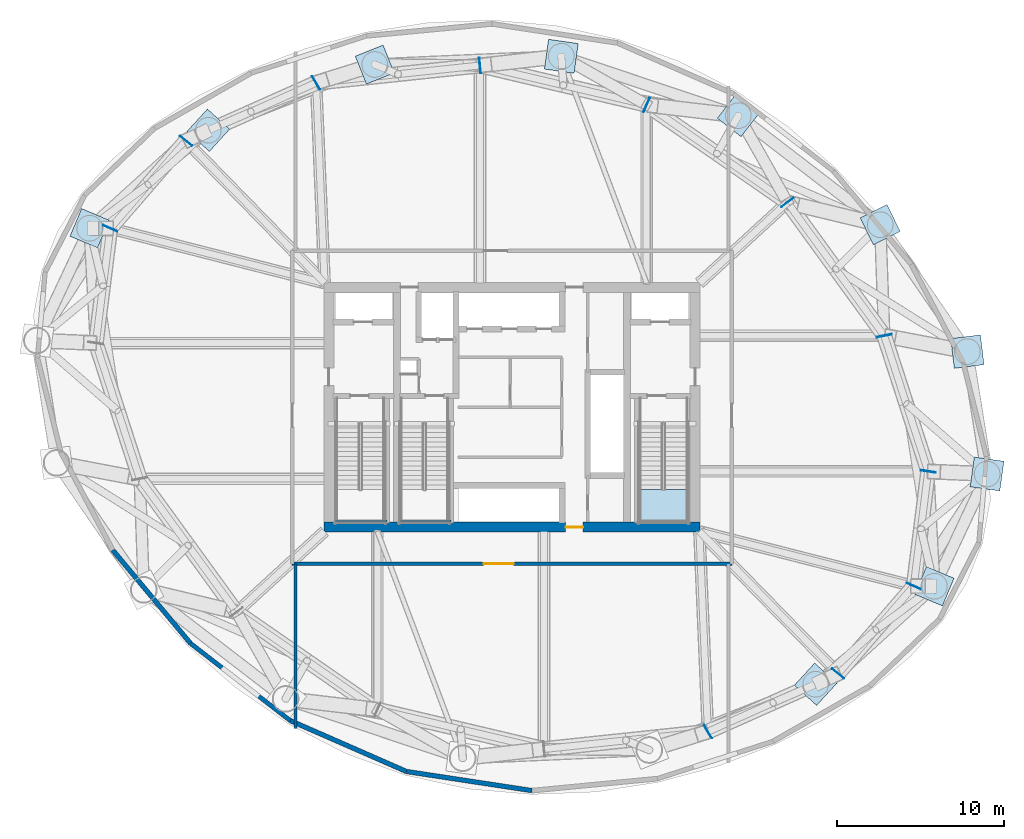
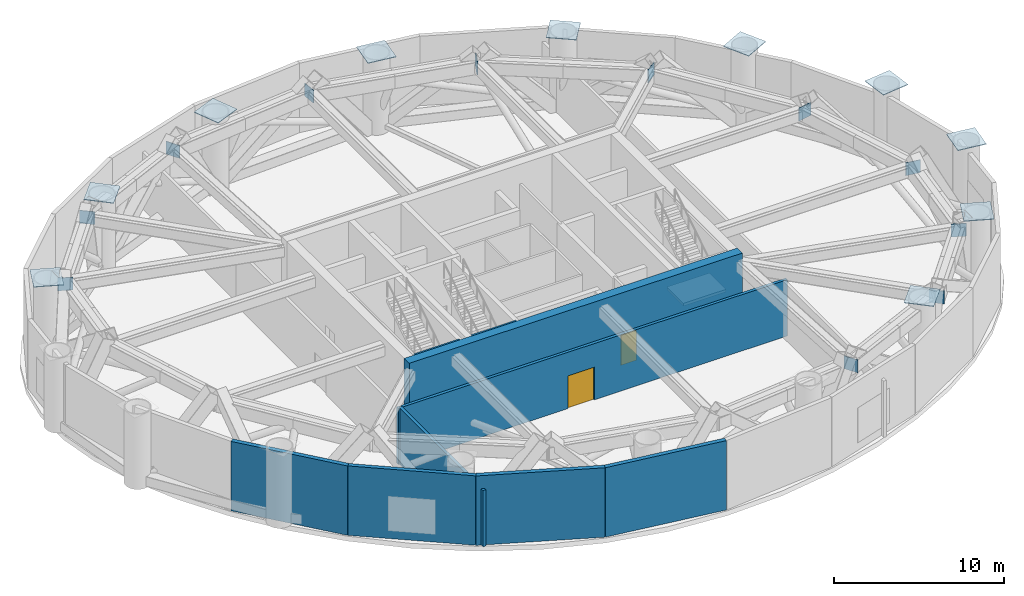
# One storey, part 6 of 13: 21 plates, 9 walls, 2 doors, 1 slab, 2 openings, 1 element without a shape of its own.
"""IFC4 building model written with IfcOpenShell, lengths in metres."""

from ifc_helpers import new_model, si_unit, direction, frame, frame_2d, origin, origin_2d, place, context, subcontext, project, spatial, polyline, rectangle, outline, extrude, material, layer, layer_set, type_object, element, fill, aggregate, save


model = new_model("IFC4")

# Units and contexts
model_context = context("Model", 3, precision=1e-05, world=origin(), true_north=direction((0.0, 1.0)))
body_context = subcontext(model_context, "Body", "Model", "MODEL_VIEW")
ifc_project = project(units=[si_unit("LENGTHUNIT", "METRE"), si_unit("AREAUNIT", "SQUARE_METRE"), si_unit("VOLUMEUNIT", "CUBIC_METRE"), si_unit("PLANEANGLEUNIT", "RADIAN"), si_unit("MASSUNIT", "GRAM", prefix="KILO")], contexts=[model_context])

# Site, building, storey
site_placement = place(None, origin())
site = spatial("IfcSite", under=ifc_project, at=site_placement, CompositionType="ELEMENT")
building_placement = place(site_placement, origin())
building = spatial("IfcBuilding", under=site, at=building_placement, Name="Bramvorn Convention Spire", CompositionType="ELEMENT")
storey_placement = place(building_placement, frame((0.0, 0.0, 97.39990234375)))
storey = spatial("IfcBuildingStorey", under=building, at=storey_placement, Name="L23", CompositionType="ELEMENT", Elevation=97.39990234375)

# Plates
ifc_material_1 = material(Name="Steel CSA G40.21 Grade 350 (350W)", Category="steel")
ifc_layer_1 = layer(ifc_material_1, 0.044921875)
ifc_layer_set_1 = layer_set([ifc_layer_1], Name="Steel CSA G40.21 Grade 350 (350W) - PLT-NODE-CAP-45")
plate_type_1 = type_object("IfcPlateType", Name="PLT-NODE-CAP-45", PredefinedType="SHEET", material=ifc_layer_set_1)
for number, where, z_axis, x_axis, name in (
    (1, (66.519775390625, 21.99169921875, 5.400146484375), (0.0, 0.0, 1.0), (0.990267984726, -0.13917369876, 0.0), "L23 CFT mega-column MC01 transition cap plate"),
    (2, (65.338623046875, 29.340087890625, 5.400146484375), (0.0, 0.0, 1.0), (0.9926191329, 0.121273480201, 0.0), "L23 CFT mega-column MC02 transition cap plate"),
    (3, (60.105224609375, 36.960205078125, 5.400146484375), (0.0, 0.0, 1.0), (0.895920156137, 0.444215121115, 0.0), "L23 CFT mega-column MC03 transition cap plate"),
    (4, (51.59033203125, 43.509033203125, 5.400146484375), (0.0, 0.0, 1.0), (0.613158497897, 0.789959908133, 0.0), "L23 CFT mega-column MC04 transition cap plate"),
    (5, (40.9609375, 47.06884765625, 5.400146484375), (0.0, 0.0, 1.0), (0.139171220798, 0.990268332979, 0.0), "L23 CFT mega-column MC05 transition cap plate"),
    (6, (29.76220703125, 46.57666015625, 5.400146484375), (0.0, 0.0, 1.0), (-0.371663698417, 0.92836743549, 0.0), "L23 CFT mega-column MC06 transition cap plate"),
    (7, (19.772216796875, 42.628662109375, 5.400146484375), (0.0, 0.0, 1.0), (-0.738769458878, 0.673958223208, 0.0), "L23 CFT mega-column MC07 transition cap plate"),
    (8, (12.64111328125, 36.746337890625, 5.400146484375), (0.0, 0.0, 1.0), (-0.920738632898, 0.390179919894, 0.0), "L23 CFT mega-column MC08 transition cap plate"),
    (9, (56.227783203125, 9.371337890625, 5.400146484375), (0.0, 0.0, 1.0), (0.738769458878, -0.673958223208, 0.0), "L23 CFT mega-column MC15 transition cap plate"),
    (10, (63.35888671875, 15.253662109375, 5.400146484375), (0.0, 0.0, 1.0), (0.920738632898, -0.390179919894, 0.0), "L23 CFT mega-column MC16 transition cap plate"),
):
    element("IfcPlate", number, at=place(storey_placement, frame(where, z_axis=z_axis, x_axis=x_axis)), inside=storey, type_object=plate_type_1, Name=name, PredefinedType="SHEET", context=body_context, shape_type="SweptSolid", body=[
        extrude(rectangle(XDim=1.800048828125, YDim=1.800048828125, at=origin_2d()), origin(), (0.0, 0.0, 1.0), 0.044921875),
    ])
ifc_layer_2 = layer(ifc_material_1, 0.044921875)
ifc_layer_set_2 = layer_set([ifc_layer_2], Name="Steel CSA G40.21 Grade 350 (350W) - PLT-TRUSS-CAP-45")
plate_type_2 = type_object("IfcPlateType", Name="PLT-TRUSS-CAP-45", PredefinedType="SHEET", material=ifc_layer_set_2)
for number, where, z_axis, x_axis, name in (
    (11, (62.11767578125, 15.26220703125, 4.070068359375), (0.0, 0.0, 1.0), (0.913546123951, -0.40673514652, 0.0), "Truss node KN-23-01 closed end-cap plate"),
    (12, (62.983642578125, 22.148193359375, 4.070068359375), (0.0, 0.0, 1.0), (0.988323766562, -0.152368410274, 0.0), "Truss node KN-23-02 closed end-cap plate"),
    (13, (60.345703125, 30.293212890625, 4.070068359375), (0.0, 0.0, 1.0), (0.982040253969, 0.188671512384, 0.0), "Truss node KN-23-03 closed end-cap plate"),
    (14, (54.534912109375, 38.299072265625, 4.070068359375), (0.0, 0.0, 1.0), (0.802371890462, 0.596824387401, 0.0), "Truss node KN-23-04 closed end-cap plate"),
    (15, (46.082763671875, 44.154052734375, 4.070068359375), (0.0, 0.0, 1.0), (0.406737417797, 0.913545112714, 0.0), "Truss node KN-23-05 closed end-cap plate"),
    (16, (36.075927734375, 46.517333984375, 4.070068359375), (0.0, 0.0, 1.0), (-0.093364459735, 0.995631999113, 0.0), "Truss node KN-23-06 closed end-cap plate"),
    (17, (26.23828125, 45.478759765625, 4.070068359375), (0.0, 0.0, 1.0), (-0.516903736203, 0.856043531311, 0.0), "Truss node KN-23-07 closed end-cap plate"),
    (18, (18.420166015625, 41.9892578125, 4.070068359375), (0.0, 0.0, 1.0), (-0.774550926347, 0.632511551274, 0.0), "Truss node KN-23-08 closed end-cap plate"),
    (19, (13.88232421875, 36.73779296875, 4.070068359375), (0.0, 0.0, 1.0), (-0.913546123951, 0.40673514652, 0.0), "Truss node KN-23-09 closed end-cap plate"),
    (20, (49.76171875, 6.521240234375, 4.070068359375), (0.0, 0.0, 1.0), (0.516903736203, -0.856043531311, 0.0), "Truss node KN-23-15 closed end-cap plate"),
    (21, (57.579833984375, 10.0107421875, 4.070068359375), (0.0, 0.0, 1.0), (0.774550926347, -0.632511551274, 0.0), "Truss node KN-23-16 closed end-cap plate"),
):
    element("IfcPlate", number, at=place(storey_placement, frame(where, z_axis=z_axis, x_axis=x_axis)), inside=storey, type_object=plate_type_2, Name=name, PredefinedType="SHEET", context=body_context, shape_type="SweptSolid", body=[
        extrude(rectangle(XDim=0.919921875, YDim=0.044921875, at=origin_2d()), origin(), (0.0, 0.0, 1.0), 0.919921875),
    ])

# Stair, slab
ifc_material_2 = material(Name="Concrete C40/50 Precast Stair", Category="concrete")
stair_type = type_object("IfcStairType", Name="ST-TOWER-1550", PredefinedType="HALF_TURN_STAIR", material=ifc_material_2)
stair_placement = place(storey_placement, origin())
stair = element("IfcStair", 22, at=stair_placement, inside=storey, type_object=stair_type, Name="L23 Protected Exit Stair ST2", PredefinedType="HALF_TURN_STAIR")
ifc_material_3 = material(Name="Concrete C40/50 Stair Landing", Category="concrete")
ifc_layer_3 = layer(ifc_material_3, 0.219970703125)
ifc_layer_set_3 = layer_set([ifc_layer_3], Name="Concrete C40/50 Stair Landing - SLB-STAIR-LANDING")
slab_type = type_object("IfcSlabType", Name="SLB-STAIR-LANDING", PredefinedType="LANDING", material=ifc_layer_set_3)
slab_placement = place(storey_placement, frame((0.0, 0.0, 2.5)))
slab = element("IfcSlab", 23, at=slab_placement, type_object=slab_type, Name="ST2 landing 1", PredefinedType="LANDING", context=body_context, shape_type="SweptSolid", body=[
    extrude(outline(polyline([(45.64990234375, 21.06005859375), (45.64990234375, 19.10009765625), (48.550048828125, 19.10009765625), (48.550048828125, 21.06005859375), (45.64990234375, 21.06005859375)])), origin(), (0.0, 0.0, 1.0), 0.2001953125),
])
aggregate(stair, [slab])

# Wall, opening, door
ifc_material_4 = material(Name="Concrete C60/70", Category="concrete")
ifc_layer_4 = layer(ifc_material_4, 0.60009765625)
ifc_layer_set_4 = layer_set([ifc_layer_4], Name="Concrete C60/70 - WL-CORE-600")
wall_type_1 = type_object("IfcWallType", Name="WL-CORE-600", PredefinedType="SHEAR", material=ifc_layer_set_4)
wall_1_placement = place(storey_placement, frame((26.699951171875, 18.800048828125, 0.0), z_axis=(0.0, 0.0, 1.0), x_axis=(1.0, 0.0, 0.0)))
wall_1 = element("IfcWall", 24, at=wall_1_placement, inside=storey, type_object=wall_type_1, Name="L23 South RC core shear wall", PredefinedType="SHEAR", context=body_context, shape_type="SweptSolid", body=[
    extrude(rectangle(XDim=22.60009765625, YDim=0.60009765625, at=frame_2d((11.300048828125, 0.0))), origin(), (0.0, 0.0, 1.0), 5.400146484375),
])
opening_1_placement = place(wall_1_placement, frame((14.52001953125, 0.0, 0.0)))
opening_1 = element("IfcOpeningElement", 25, at=opening_1_placement, cuts=wall_1, Name="Opening DL-105", PredefinedType="OPENING", context=body_context, shape_type="SweptSolid", body=[
    extrude(rectangle(XDim=1.050048828125, YDim=2.14990234375, at=frame_2d((0.52490234375, 1.074951171875))), frame((0.0, 0.31005859375, 0.0), z_axis=(0.0, -1.0, 0.0), x_axis=(1.0, 0.0, 0.0)), (0.0, 0.0, 1.0), 0.6201171875),
])
ifc_material_5 = material(Name="Smoke-Sealed Fire Lobby Timber-Core Door", Category="wood")
door_type_1 = type_object("IfcDoorType", Name="DR-LOBBY-1050", OperationType="NOTDEFINED", PredefinedType="DOOR", material=ifc_material_5)
door_1_placement = place(opening_1_placement, origin())
door_1 = element("IfcDoor", 26, at=door_1_placement, inside=storey, type_object=door_type_1, Name="L23 South Lift Lobby fire door", OperationType="SINGLE_SWING_RIGHT", OverallHeight=2.14990234375, OverallWidth=1.050048828125, PredefinedType="DOOR", context=body_context, shape_type="SweptSolid", body=[
    extrude(rectangle(XDim=1.050048828125, YDim=2.14990234375, at=frame_2d((0.52490234375, 1.074951171875))), frame((0.0, 0.02490234375, 0.0), z_axis=(0.0, -1.0, 0.0), x_axis=(1.0, 0.0, 0.0)), (0.0, 0.0, 1.0), 0.050048828125),
])
fill(opening_1, door_1)

# Walls
ifc_material_6 = material(Name="Precast Concrete C40/50 with Bronze Terracotta Rainscreen", Category="masonry")
ifc_layer_5 = layer(ifc_material_6, 0.300048828125)
ifc_layer_set_5 = layer_set([ifc_layer_5], Name="Precast Concrete C40/50 with Bronze Terracotta Rainscreen - WL-EXT-BRONZE-300")
wall_type_2 = type_object("IfcWallType", Name="WL-EXT-BRONZE-300", PredefinedType="SOLIDWALL", material=ifc_layer_set_5)
wall_2_placement = place(storey_placement, frame((18.70458984375, 11.821533203125, 0.0), z_axis=(0.0, 0.0, 1.0), x_axis=(-0.64042149177, 0.768023640833, 0.0)))
element("IfcWall", 27, at=wall_2_placement, inside=storey, type_object=wall_type_2, Name="L23 expressed bronze Gothic lancet pier wall 16", PredefinedType="SOLIDWALL", context=body_context, shape_type="SweptSolid", body=[
    extrude(rectangle(XDim=7.29150390625, YDim=0.280029296875, at=frame_2d((3.645751953125, 0.0))), origin(), (0.0, 0.0, 1.0), 4.97998046875),
])
for number, where, z_axis, x_axis, name in (
    (28, (31.66748046875, 4.132080078125, 0.0), (0.0, 0.0, 1.0), (-0.916030033218, 0.401109683556, 0.0), "L23 expressed bronze Gothic lancet pier wall 18"),
    (29, (39.1982421875, 2.986083984375, 0.0), (0.0, 0.0, 1.0), (-0.988618630086, 0.150443358932, 0.0), "L23 expressed bronze Gothic lancet pier wall 19"),
):
    element("IfcWall", number, at=place(storey_placement, frame(where, z_axis=z_axis, x_axis=x_axis)), inside=storey, type_object=wall_type_2, Name=name, PredefinedType="SOLIDWALL", context=body_context, shape_type="SweptSolid", body=[
        extrude(rectangle(XDim=7.617431640625, YDim=0.280029296875, at=frame_2d((3.80859375, 0.0))), origin(), (0.0, 0.0, 1.0), 4.97998046875),
    ])
ifc_material_7 = material(Name="Precast Concrete C40/50 Insulated Terrace Wall", Category="concrete")
ifc_layer_6 = layer(ifc_material_7, 0.280029296875)
ifc_layer_set_6 = layer_set([ifc_layer_6], Name="Precast Concrete C40/50 Insulated Terrace Wall - WL-EXT-TERR-280")
wall_type_3 = type_object("IfcWallType", Name="WL-EXT-TERR-280", PredefinedType="SOLIDWALL", material=ifc_layer_set_6)
wall_3_placement = place(storey_placement, frame((24.689697265625, 7.1875, 0.0), z_axis=(0.0, 0.0, 1.0), x_axis=(-0.79069802152, 0.612206369425, 0.0)))
element("IfcWall", 30, at=wall_3_placement, inside=storey, type_object=wall_type_3, Name="L23 plant floor acoustic louvre breast wall 17", PredefinedType="SOLIDWALL", context=body_context, shape_type="SweptSolid", body=[
    extrude(rectangle(XDim=7.5693359375, YDim=0.260009765625, at=frame_2d((3.78466796875, 0.0))), origin(), (0.0, 0.0, 1.0), 4.97998046875),
])

# Wall, opening, door
ifc_material_8 = material(Name="Gypsum Shaftwall & Rockwool Core Partition", Category="gypsum")
ifc_layer_7 = layer(ifc_material_8, 0.199951171875)
ifc_layer_set_7 = layer_set([ifc_layer_7], Name="Gypsum Shaftwall & Rockwool Core Partition - WL-PART-200-FR")
wall_type_4 = type_object("IfcWallType", Name="WL-PART-200-FR", PredefinedType="PARTITIONING", material=ifc_layer_set_7)
wall_4_placement = place(storey_placement, frame((24.800048828125, 16.60009765625, 0.0), z_axis=(0.0, 0.0, 1.0), x_axis=(1.0, 0.0, 0.0)))
wall_4 = element("IfcWall", 31, at=wall_4_placement, inside=storey, type_object=wall_type_4, Name="L23 Refuge corridor south wall", PredefinedType="PARTITIONING", context=body_context, shape_type="SweptSolid", body=[
    extrude(rectangle(XDim=26.39990234375, YDim=0.199951171875, at=frame_2d((13.199951171875, 0.0))), origin(), (0.0, 0.0, 1.0), 4.0400390625),
])
opening_2_placement = place(wall_4_placement, frame((11.5, 0.0, 0.0)))
opening_2 = element("IfcOpeningElement", 32, at=opening_2_placement, cuts=wall_4, Name="Opening DH-180", PredefinedType="OPENING", context=body_context, shape_type="SweptSolid", body=[
    extrude(rectangle(XDim=1.800048828125, YDim=2.35009765625, at=frame_2d((0.89990234375, 1.175048828125))), frame((0.0, 0.10986328125, 0.0), z_axis=(0.0, -1.0, 0.0), x_axis=(1.0, 0.0, 0.0)), (0.0, 0.0, 1.0), 0.219970703125),
])
ifc_material_9 = material(Name="Double-Leaf Acoustic Assembly Hall Door", Category="wood")
door_type_2 = type_object("IfcDoorType", Name="DR-HALL-1800", OperationType="NOTDEFINED", PredefinedType="DOOR", material=ifc_material_9)
door_2_placement = place(opening_2_placement, origin())
door_2 = element("IfcDoor", 33, at=door_2_placement, inside=storey, type_object=door_type_2, Name="L23 Pressurised Area of Refuge door", OperationType="DOUBLE_DOOR_SINGLE_SWING", OverallHeight=2.35009765625, OverallWidth=1.800048828125, PredefinedType="DOOR", context=body_context, shape_type="SweptSolid", body=[
    extrude(rectangle(XDim=1.800048828125, YDim=2.35009765625, at=frame_2d((0.89990234375, 1.175048828125))), frame((0.0, 0.02490234375, 0.0), z_axis=(0.0, -1.0, 0.0), x_axis=(1.0, 0.0, 0.0)), (0.0, 0.0, 1.0), 0.050048828125),
])
fill(opening_2, door_2)

# Walls
wall_5_placement = place(storey_placement, frame((25.0, 6.727294921875, 0.0), z_axis=(0.0, 0.0, 1.0), x_axis=(0.0, 1.0, 0.0)))
element("IfcWall", 34, at=wall_5_placement, inside=storey, type_object=wall_type_4, Name="L23 Compartment fire wall", PredefinedType="PARTITIONING", context=body_context, shape_type="SweptSolid", body=[
    extrude(rectangle(XDim=9.872802734375, YDim=0.199951171875, at=frame_2d((4.9365234375, 0.0))), origin(), (0.0, 0.0, 1.0), 4.0400390625),
])
ifc_material_10 = material(Name="Concrete C50/60", Category="concrete")
ifc_layer_8 = layer(ifc_material_10, 0.1201171875)
ifc_layer_set_8 = layer_set([ifc_layer_8], Name="Concrete C50/60 - WL-STAIR-RC-120")
wall_type_5 = type_object("IfcWallType", Name="WL-STAIR-RC-120", PredefinedType="SHEAR", material=ifc_layer_set_8)
wall_6_placement = place(storey_placement, frame((27.39501953125, 19.159912109375, 0.0), z_axis=(0.0, 0.0, 1.0), x_axis=(1.0, 0.0, 0.0)))
element("IfcWall", 35, at=wall_6_placement, inside=storey, type_object=wall_type_5, Name="L23 ST1 south bearing shear wall", PredefinedType="SHEAR", context=body_context, shape_type="SweptSolid", body=[
    extrude(rectangle(XDim=3.094970703125, YDim=0.1201171875, at=frame_2d((1.54736328125, 0.0))), origin(), (0.0, 0.0, 1.0), 5.400146484375),
])
wall_7_placement = place(storey_placement, frame((31.300048828125, 19.159912109375, 0.0), z_axis=(0.0, 0.0, 1.0), x_axis=(1.0, 0.0, 0.0)))
element("IfcWall", 36, at=wall_7_placement, inside=storey, type_object=wall_type_5, Name="L23 ST3 south bearing shear wall", PredefinedType="SHEAR", context=body_context, shape_type="SweptSolid", body=[
    extrude(rectangle(XDim=3.0400390625, YDim=0.1201171875, at=frame_2d((1.52001953125, 0.0))), origin(), (0.0, 0.0, 1.0), 5.400146484375),
])

save(model, "model.ifc")
